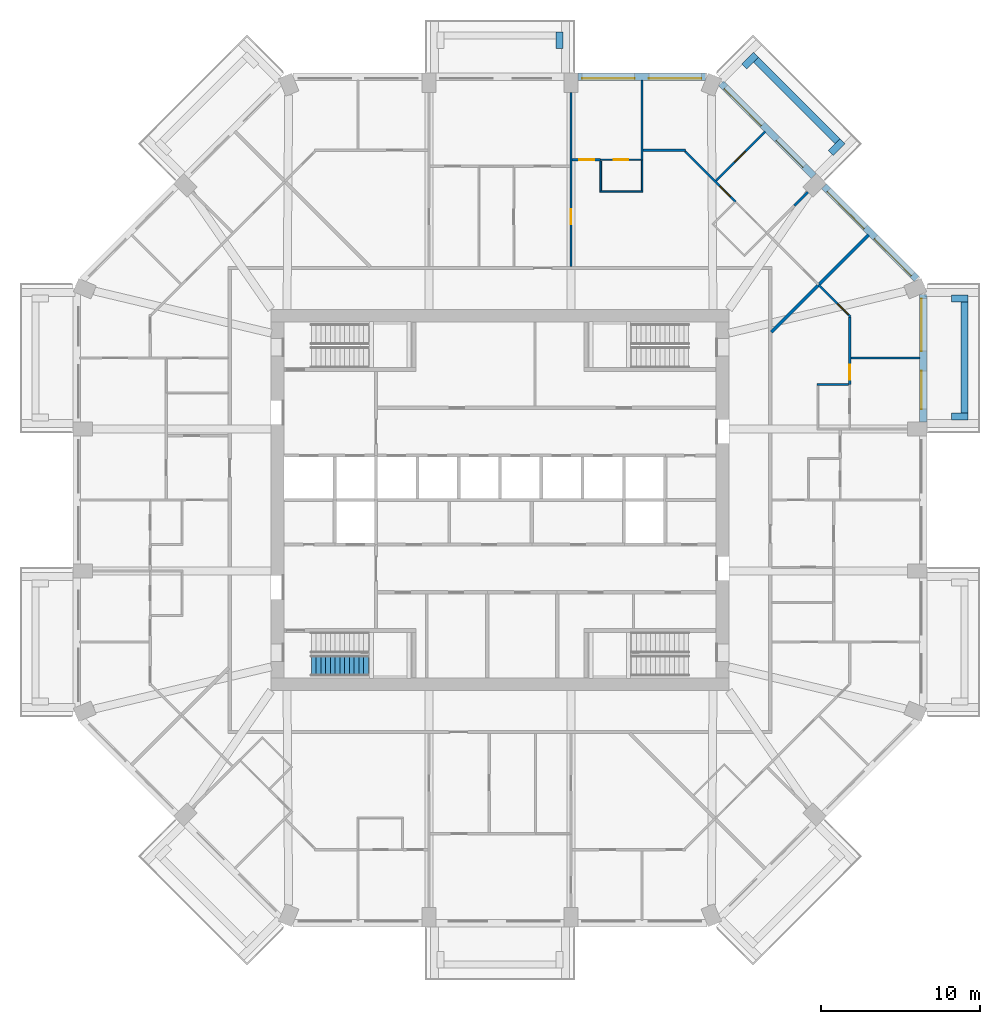
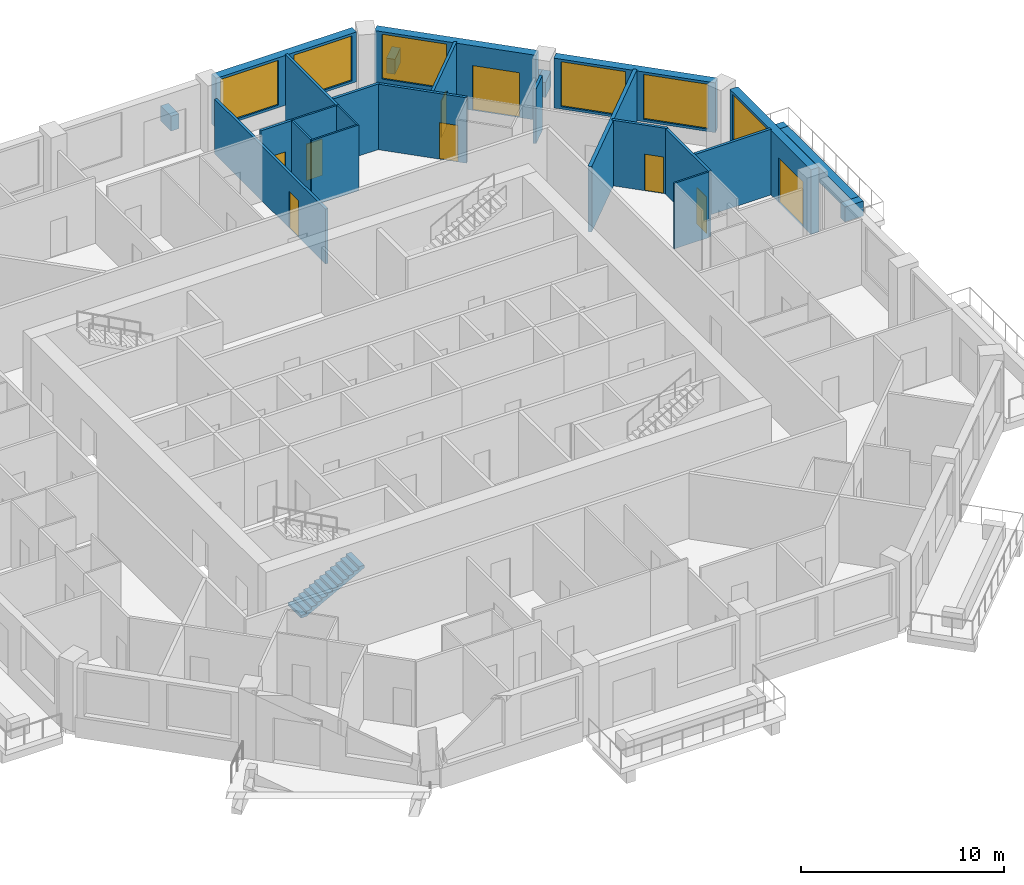
# One storey, part 10 of 13: 27 walls, 9 doors, 6 windows, 1 stair flight, 15 openings, 1 element without a shape of its own.
"""IFC4 building model written with IfcOpenShell, lengths in metres."""

from ifc_helpers import new_model, si_unit, direction, frame, frame_2d, origin, place, context, subcontext, project, spatial, polyline, rectangle, outline, extrude, material, layer, layer_set, type_object, element, fill, aggregate, save


model = new_model("IFC4")

# Units and contexts
model_context = context("Model", 3, precision=1e-05, world=origin(), true_north=direction((0.0, 1.0)))
body_context = subcontext(model_context, "Body", "Model", "MODEL_VIEW")
ifc_project = project(units=[si_unit("LENGTHUNIT", "METRE"), si_unit("AREAUNIT", "SQUARE_METRE"), si_unit("VOLUMEUNIT", "CUBIC_METRE"), si_unit("PLANEANGLEUNIT", "RADIAN"), si_unit("MASSUNIT", "GRAM", prefix="KILO")], contexts=[model_context])

# Site, building, storey
site_placement = place(None, origin())
site = spatial("IfcSite", under=ifc_project, at=site_placement, CompositionType="ELEMENT")
building_placement = place(site_placement, origin())
building = spatial("IfcBuilding", under=site, at=building_placement, Name="Msitu Wima Residences", CompositionType="ELEMENT")
storey_placement = place(building_placement, frame((0.0, 0.0, 131.699951171875)))
storey = spatial("IfcBuildingStorey", under=building, at=storey_placement, Name="L30", CompositionType="ELEMENT", Elevation=131.699951171875)

# Walls
ifc_material_1 = material(Name="Facing brick")
ifc_layer_1 = layer(ifc_material_1, 0.06494140625, Name="Facing brick")
ifc_material_2 = material(Name="Concrete C40/50", Category="concrete")
ifc_layer_2 = layer(ifc_material_2, 0.156005859375, Name="Concrete C40/50")
ifc_material_3 = material(Name="Waterproofing membrane")
ifc_layer_3 = layer(ifc_material_3, 0.00390625, Name="Waterproofing membrane")
ifc_material_4 = material(Name="Planting soil and planting")
ifc_layer_4 = layer(ifc_material_4, 0.22509765625, Name="Planting soil and planting")
ifc_layer_set_1 = layer_set([ifc_layer_1, ifc_layer_2, ifc_layer_3, ifc_layer_4], Name="Concrete C40/50")
wall_type_1 = type_object("IfcWallType", Name="Balcony planter PLANTER PL450", PredefinedType="USERDEFINED", material=ifc_layer_set_1)
wall_1_placement = place(storey_placement, frame((29.22509765625, 5.468505859375, 0.0), z_axis=(0.0, 0.0, 1.0), x_axis=(0.0, 1.0, 0.0)))
element("IfcWall", 1, at=wall_1_placement, inside=storey, type_object=wall_type_1, Name="Balcony planter E2 L30", ObjectType="PLANTER", PredefinedType="USERDEFINED", context=body_context, shape_type="SweptSolid", body=[
    extrude(rectangle(XDim=6.9873046875, YDim=0.449951171875, at=frame_2d((3.49365234375, 0.0))), origin(), (0.0, 0.0, 1.0), 0.900146484375),
])
for number, where, z_axis, x_axis, name in (
    (2, (28.39990234375, 5.24365234375, 0.0), (0.0, 0.0, 1.0), (1.0, 0.0, 0.0), "Balcony planter E2 L30"),
    (3, (28.39990234375, 12.680908203125, 0.0), (0.0, 0.0, 1.0), (1.0, 0.0, 0.0), "Balcony planter E2 L30"),
):
    element("IfcWall", number, at=place(storey_placement, frame(where, z_axis=z_axis, x_axis=x_axis)), inside=storey, type_object=wall_type_1, Name=name, ObjectType="PLANTER", PredefinedType="USERDEFINED", context=body_context, shape_type="SweptSolid", body=[
        extrude(rectangle(XDim=1.050048828125, YDim=0.449951171875, at=frame_2d((0.52490234375, 0.0))), origin(), (0.0, 0.0, 1.0), 0.900146484375),
    ])
wall_2_placement = place(storey_placement, frame((21.228759765625, 22.572265625, 0.0), z_axis=(0.0, 0.0, 1.0), x_axis=(-0.707106781187, 0.707106781187, 0.0)))
element("IfcWall", 4, at=wall_2_placement, inside=storey, type_object=wall_type_1, Name="Balcony planter NE1 L30", ObjectType="PLANTER", PredefinedType="USERDEFINED", context=body_context, shape_type="SweptSolid", body=[
    extrude(rectangle(XDim=7.23828125, YDim=0.449951171875, at=frame_2d((3.619140625, 0.0))), origin(), (0.0, 0.0, 1.0), 0.900146484375),
])
for number, where, z_axis, x_axis, name in (
    (5, (20.804443359375, 21.829833984375, 0.0), (0.0, 0.0, 1.0), (0.707106781187, 0.707106781187, 0.0), "Balcony planter NE1 L30"),
    (6, (15.3681640625, 27.26611328125, 0.0), (0.0, 0.0, 1.0), (0.706990528533, 0.707223014731, 0.0), "Balcony planter NE1 L30"),
    (7, (3.74365234375, 28.39990234375, 0.0), (0.0, 0.0, 1.0), (0.0, 1.0, 0.0), "Balcony planter N1 L30"),
):
    element("IfcWall", number, at=place(storey_placement, frame(where, z_axis=z_axis, x_axis=x_axis)), inside=storey, type_object=wall_type_1, Name=name, ObjectType="PLANTER", PredefinedType="USERDEFINED", context=body_context, shape_type="SweptSolid", body=[
        extrude(rectangle(XDim=1.050048828125, YDim=0.449951171875, at=frame_2d((0.52490234375, 0.0))), origin(), (0.0, 0.0, 1.0), 0.900146484375),
    ])

# Wall, openings, door, window
ifc_material_5 = material(Name="Brick (red buff mix)", Category="masonry")
ifc_layer_5 = layer(ifc_material_5, 0.449951171875)
ifc_layer_set_2 = layer_set([ifc_layer_5], Name="Brick (red buff mix)")
wall_type_2 = type_object("IfcWallType", Name="Brick infill wall BW450", PredefinedType="SOLIDWALL", material=ifc_layer_set_2)
wall_3_placement = place(storey_placement, frame((26.625, 4.918701171875, 0.0), z_axis=(0.0, 0.0, 1.0), x_axis=(0.0, 1.0, 0.0)))
wall_3 = element("IfcWall", 8, at=wall_3_placement, inside=storey, type_object=wall_type_2, Name="Brick infill wall L30 E2", PredefinedType="SOLIDWALL", context=body_context, shape_type="SweptSolid", body=[
    extrude(rectangle(XDim=8.0, YDim=0.449951171875, at=frame_2d((4.0, 0.0))), origin(), (0.0, 0.0, 1.0), 3.900146484375),
])
opening_1_placement = place(wall_3_placement, frame((0.800048828125, 0.0, 0.0)))
opening_1 = element("IfcOpeningElement", 9, at=opening_1_placement, cuts=wall_3, Name="Opening D30-32.002", PredefinedType="OPENING", context=body_context, shape_type="SweptSolid", body=[
    extrude(rectangle(XDim=2.39990234375, YDim=2.699951171875, at=frame_2d((1.199951171875, 1.35009765625))), frame((0.0, 0.23486328125, 0.0), z_axis=(0.0, -1.0, 0.0), x_axis=(1.0, 0.0, 0.0)), (0.0, 0.0, 1.0), 0.469970703125),
])
opening_2_placement = place(wall_3_placement, frame((4.4501953125, 0.0, 1.050048828125)))
opening_2 = element("IfcOpeningElement", 10, at=opening_2_placement, cuts=wall_3, Name="Opening W30-32.004", PredefinedType="OPENING", context=body_context, shape_type="SweptSolid", body=[
    extrude(rectangle(XDim=3.300048828125, YDim=2.699951171875, at=frame_2d((1.64990234375, 1.35009765625))), frame((0.0, 0.23486328125, 0.0), z_axis=(0.0, -1.0, 0.0), x_axis=(1.0, 0.0, 0.0)), (0.0, 0.0, 1.0), 0.469970703125),
])
ifc_material_6 = material(Name="Anodised aluminium, bronze finish, clear low-emissivity double glazing", Category="aluminium")
door_type_1 = type_object("IfcDoorType", Name="Balcony door D2400x2700", OperationType="SLIDING_TO_LEFT", PredefinedType="DOOR", material=ifc_material_6)
door_1_placement = place(opening_1_placement, origin())
door_1 = element("IfcDoor", 11, at=door_1_placement, inside=storey, type_object=door_type_1, Name="Balcony door L30 E2", OperationType="SINGLE_SWING_LEFT", OverallHeight=2.699951171875, OverallWidth=2.39990234375, PredefinedType="DOOR", context=body_context, shape_type="SweptSolid", body=[
    extrude(rectangle(XDim=2.39990234375, YDim=2.699951171875, at=frame_2d((1.199951171875, 1.35009765625))), frame((0.0, 0.1298828125, 0.0), z_axis=(0.0, -1.0, 0.0), x_axis=(1.0, 0.0, 0.0)), (0.0, 0.0, 1.0), 0.050048828125),
])
fill(opening_1, door_1)
window_type = type_object("IfcWindowType", Name="Window W3300x2700", PartitioningType="DOUBLE_PANEL_VERTICAL", PredefinedType="WINDOW", material=ifc_material_6)
window_1_placement = place(opening_2_placement, origin())
window_1 = element("IfcWindow", 12, at=window_1_placement, inside=storey, type_object=window_type, Name="Window L30 E2.2", OverallHeight=2.699951171875, OverallWidth=3.300048828125, PartitioningType="SINGLE_PANEL", PredefinedType="WINDOW", context=body_context, shape_type="SweptSolid", body=[
    extrude(rectangle(XDim=3.300048828125, YDim=2.699951171875, at=frame_2d((1.64990234375, 1.35009765625))), frame((0.0, 0.135009765625, 0.0), z_axis=(0.0, -1.0, 0.0), x_axis=(1.0, 0.0, 0.0)), (0.0, 0.0, 1.0), 0.06005859375),
])
fill(opening_2, window_1)

# Wall, openings, windows
wall_4_placement = place(storey_placement, frame((26.214599609375, 13.909423828125, 0.900146484375), z_axis=(0.0, 0.0, 1.0), x_axis=(-0.707106781187, 0.707106781187, 0.0)))
wall_4 = element("IfcWall", 13, at=wall_4_placement, inside=storey, type_object=wall_type_2, Name="Brick infill wall L30 NE0", PredefinedType="SOLIDWALL", context=body_context, shape_type="SweptSolid", body=[
    extrude(rectangle(XDim=8.251220703125, YDim=0.449951171875, at=frame_2d((4.12548828125, 0.0))), origin(), (0.0, 0.0, 1.0), 3.0),
])
opening_3_placement = place(wall_4_placement, frame((0.37548828125, 0.0, 0.14990234375)))
opening_3 = element("IfcOpeningElement", 14, at=opening_3_placement, cuts=wall_4, Name="Opening W30-32.010", PredefinedType="OPENING", context=body_context, shape_type="SweptSolid", body=[
    extrude(rectangle(XDim=3.300048828125, YDim=2.699951171875, at=frame_2d((1.64990234375, 1.35009765625))), frame((0.0, 0.23486328125, 0.0), z_axis=(0.0, -1.0, 0.0), x_axis=(1.0, 0.0, 0.0)), (0.0, 0.0, 1.0), 0.469970703125),
])
opening_4_placement = place(wall_4_placement, frame((4.57568359375, 0.0, 0.14990234375)))
opening_4 = element("IfcOpeningElement", 15, at=opening_4_placement, cuts=wall_4, Name="Opening W30-32.011", PredefinedType="OPENING", context=body_context, shape_type="SweptSolid", body=[
    extrude(rectangle(XDim=3.300048828125, YDim=2.699951171875, at=frame_2d((1.64990234375, 1.35009765625))), frame((0.0, 0.23486328125, 0.0), z_axis=(0.0, -1.0, 0.0), x_axis=(1.0, 0.0, 0.0)), (0.0, 0.0, 1.0), 0.469970703125),
])
window_2_placement = place(opening_3_placement, origin())
window_2 = element("IfcWindow", 16, at=window_2_placement, inside=storey, type_object=window_type, Name="Window L30 NE0.1", OverallHeight=2.699951171875, OverallWidth=3.300048828125, PartitioningType="SINGLE_PANEL", PredefinedType="WINDOW", context=body_context, shape_type="SweptSolid", body=[
    extrude(rectangle(XDim=3.300048828125, YDim=2.699951171875, at=frame_2d((1.64990234375, 1.35009765625))), frame((0.0, 0.135009765625, 0.0), z_axis=(0.0, -1.0, 0.0), x_axis=(1.0, 0.0, 0.0)), (0.0, 0.0, 1.0), 0.06005859375),
])
fill(opening_3, window_2)
window_3_placement = place(opening_4_placement, origin())
window_3 = element("IfcWindow", 17, at=window_3_placement, inside=storey, type_object=window_type, Name="Window L30 NE0.2", OverallHeight=2.699951171875, OverallWidth=3.300048828125, PartitioningType="SINGLE_PANEL", PredefinedType="WINDOW", context=body_context, shape_type="SweptSolid", body=[
    extrude(rectangle(XDim=3.300048828125, YDim=2.699951171875, at=frame_2d((1.64990234375, 1.35009765625))), frame((0.0, 0.135009765625, 0.0), z_axis=(0.0, -1.0, 0.0), x_axis=(1.0, 0.0, 0.0)), (0.0, 0.0, 1.0), 0.06005859375),
])
fill(opening_4, window_3)

# Wall, openings, door, window
wall_5_placement = place(storey_placement, frame((19.743896484375, 20.380126953125, 0.0), z_axis=(0.0, 0.0, 1.0), x_axis=(-0.707106781187, 0.707106781187, 0.0)))
wall_5 = element("IfcWall", 18, at=wall_5_placement, inside=storey, type_object=wall_type_2, Name="Brick infill wall L30 NE1", PredefinedType="SOLIDWALL", context=body_context, shape_type="SweptSolid", body=[
    extrude(rectangle(XDim=8.251220703125, YDim=0.449951171875, at=frame_2d((4.12548828125, 0.0))), origin(), (0.0, 0.0, 1.0), 3.900146484375),
])
opening_5_placement = place(wall_5_placement, frame((0.86279296875, 0.0, 0.0)))
opening_5 = element("IfcOpeningElement", 19, at=opening_5_placement, cuts=wall_5, Name="Opening D30-32.004", PredefinedType="OPENING", context=body_context, shape_type="SweptSolid", body=[
    extrude(rectangle(XDim=2.39990234375, YDim=2.699951171875, at=frame_2d((1.199951171875, 1.35009765625))), frame((0.0, 0.23486328125, 0.0), z_axis=(0.0, -1.0, 0.0), x_axis=(1.0, 0.0, 0.0)), (0.0, 0.0, 1.0), 0.469970703125),
])
opening_6_placement = place(wall_5_placement, frame((4.57568359375, 0.0, 1.050048828125)))
opening_6 = element("IfcOpeningElement", 20, at=opening_6_placement, cuts=wall_5, Name="Opening W30-32.012", PredefinedType="OPENING", context=body_context, shape_type="SweptSolid", body=[
    extrude(rectangle(XDim=3.300048828125, YDim=2.699951171875, at=frame_2d((1.64990234375, 1.35009765625))), frame((0.0, 0.23486328125, 0.0), z_axis=(0.0, -1.0, 0.0), x_axis=(1.0, 0.0, 0.0)), (0.0, 0.0, 1.0), 0.469970703125),
])
door_2_placement = place(opening_5_placement, origin())
door_2 = element("IfcDoor", 21, at=door_2_placement, inside=storey, type_object=door_type_1, Name="Balcony door L30 NE1", OperationType="SINGLE_SWING_LEFT", OverallHeight=2.699951171875, OverallWidth=2.39990234375, PredefinedType="DOOR", context=body_context, shape_type="SweptSolid", body=[
    extrude(rectangle(XDim=2.39990234375, YDim=2.699951171875, at=frame_2d((1.199951171875, 1.35009765625))), frame((0.0, 0.1298828125, 0.0), z_axis=(0.0, -1.0, 0.0), x_axis=(1.0, 0.0, 0.0)), (0.0, 0.0, 1.0), 0.050048828125),
])
fill(opening_5, door_2)
window_4_placement = place(opening_6_placement, origin())
window_4 = element("IfcWindow", 22, at=window_4_placement, inside=storey, type_object=window_type, Name="Window L30 NE1.2", OverallHeight=2.699951171875, OverallWidth=3.300048828125, PartitioningType="SINGLE_PANEL", PredefinedType="WINDOW", context=body_context, shape_type="SweptSolid", body=[
    extrude(rectangle(XDim=3.300048828125, YDim=2.699951171875, at=frame_2d((1.64990234375, 1.35009765625))), frame((0.0, 0.135009765625, 0.0), z_axis=(0.0, -1.0, 0.0), x_axis=(1.0, 0.0, 0.0)), (0.0, 0.0, 1.0), 0.06005859375),
])
fill(opening_6, window_4)

# Wall, openings, windows
wall_6_placement = place(storey_placement, frame((12.918701171875, 26.625, 0.900146484375), z_axis=(0.0, 0.0, 1.0), x_axis=(-1.0, 0.0, 0.0)))
wall_6 = element("IfcWall", 23, at=wall_6_placement, inside=storey, type_object=wall_type_2, Name="Brick infill wall L30 N0", PredefinedType="SOLIDWALL", context=body_context, shape_type="SweptSolid", body=[
    extrude(rectangle(XDim=8.0, YDim=0.449951171875, at=frame_2d((4.0, 0.0))), origin(), (0.0, 0.0, 1.0), 3.0),
])
opening_7_placement = place(wall_6_placement, frame((0.25, 0.0, 0.14990234375)))
opening_7 = element("IfcOpeningElement", 24, at=opening_7_placement, cuts=wall_6, Name="Opening W30-32.005", PredefinedType="OPENING", context=body_context, shape_type="SweptSolid", body=[
    extrude(rectangle(XDim=3.300048828125, YDim=2.699951171875, at=frame_2d((1.64990234375, 1.35009765625))), frame((0.0, 0.23486328125, 0.0), z_axis=(0.0, -1.0, 0.0), x_axis=(1.0, 0.0, 0.0)), (0.0, 0.0, 1.0), 0.469970703125),
])
opening_8_placement = place(wall_6_placement, frame((4.4501953125, 0.0, 0.14990234375)))
opening_8 = element("IfcOpeningElement", 25, at=opening_8_placement, cuts=wall_6, Name="Opening W30-32.006", PredefinedType="OPENING", context=body_context, shape_type="SweptSolid", body=[
    extrude(rectangle(XDim=3.300048828125, YDim=2.699951171875, at=frame_2d((1.64990234375, 1.35009765625))), frame((0.0, 0.23486328125, 0.0), z_axis=(0.0, -1.0, 0.0), x_axis=(1.0, 0.0, 0.0)), (0.0, 0.0, 1.0), 0.469970703125),
])
window_5_placement = place(opening_7_placement, origin())
window_5 = element("IfcWindow", 26, at=window_5_placement, inside=storey, type_object=window_type, Name="Window L30 N0.1", OverallHeight=2.699951171875, OverallWidth=3.300048828125, PartitioningType="SINGLE_PANEL", PredefinedType="WINDOW", context=body_context, shape_type="SweptSolid", body=[
    extrude(rectangle(XDim=3.300048828125, YDim=2.699951171875, at=frame_2d((1.64990234375, 1.35009765625))), frame((0.0, 0.135009765625, 0.0), z_axis=(0.0, -1.0, 0.0), x_axis=(1.0, 0.0, 0.0)), (0.0, 0.0, 1.0), 0.06005859375),
])
fill(opening_7, window_5)
window_6_placement = place(opening_8_placement, origin())
window_6 = element("IfcWindow", 27, at=window_6_placement, inside=storey, type_object=window_type, Name="Window L30 N0.2", OverallHeight=2.699951171875, OverallWidth=3.300048828125, PartitioningType="SINGLE_PANEL", PredefinedType="WINDOW", context=body_context, shape_type="SweptSolid", body=[
    extrude(rectangle(XDim=3.300048828125, YDim=2.699951171875, at=frame_2d((1.64990234375, 1.35009765625))), frame((0.0, 0.135009765625, 0.0), z_axis=(0.0, -1.0, 0.0), x_axis=(1.0, 0.0, 0.0)), (0.0, 0.0, 1.0), 0.06005859375),
])
fill(opening_8, window_6)

# Wall, opening, door
ifc_material_7 = material(Name="Plaster")
ifc_layer_6 = layer(ifc_material_7, 0.011962890625, Name="Plaster")
ifc_material_8 = material(Name="Concrete blockwork", Category="masonry")
ifc_layer_7 = layer(ifc_material_8, 0.1259765625, Name="Concrete blockwork")
ifc_layer_8 = layer(ifc_material_7, 0.011962890625, Name="Plaster")
ifc_layer_set_3 = layer_set([ifc_layer_6, ifc_layer_7, ifc_layer_8], Name="Concrete blockwork")
wall_type_3 = type_object("IfcWallType", Name="Partition PW150", PredefinedType="PARTITIONING", material=ifc_layer_set_3)
wall_7_placement = place(storey_placement, frame((4.46875, 14.699951171875, 0.0), z_axis=(0.0, 0.0, 1.0), x_axis=(0.0, 1.0, 0.0)))
wall_7 = element("IfcWall", 28, at=wall_7_placement, inside=storey, type_object=wall_type_3, Name="Partition", PredefinedType="PARTITIONING", context=body_context, shape_type="SweptSolid", body=[
    extrude(rectangle(XDim=10.949951171875, YDim=0.14990234375, at=frame_2d((5.47509765625, 0.0))), origin(), (0.0, 0.0, 1.0), 3.300048828125),
])
opening_9_placement = place(wall_7_placement, frame((2.64990234375, 0.0, 0.0)))
opening_9 = element("IfcOpeningElement", 29, at=opening_9_placement, cuts=wall_7, Name="Opening D30-32.040", PredefinedType="OPENING", context=body_context, shape_type="SweptSolid", body=[
    extrude(rectangle(XDim=0.949951171875, YDim=2.199951171875, at=frame_2d((0.47509765625, 1.10009765625))), frame((0.0, 0.0849609375, 0.0), z_axis=(0.0, -1.0, 0.0), x_axis=(1.0, 0.0, 0.0)), (0.0, 0.0, 1.0), 0.169921875),
])
ifc_material_9 = material(Name="Timber flush door", Category="wood")
door_type_2 = type_object("IfcDoorType", Name="Room door D12 950x2200", OperationType="SINGLE_SWING_LEFT", PredefinedType="DOOR", material=ifc_material_9)
door_3_placement = place(opening_9_placement, origin())
door_3 = element("IfcDoor", 30, at=door_3_placement, inside=storey, type_object=door_type_2, Name="Room door", OperationType="SINGLE_SWING_RIGHT", OverallHeight=2.199951171875, OverallWidth=0.949951171875, PredefinedType="DOOR", context=body_context, shape_type="SweptSolid", body=[
    extrude(rectangle(XDim=0.949951171875, YDim=2.199951171875, at=frame_2d((0.47509765625, 1.10009765625))), frame((0.0, 0.02490234375, 0.0), z_axis=(0.0, -1.0, 0.0), x_axis=(1.0, 0.0, 0.0)), (0.0, 0.0, 1.0), 0.050048828125),
])
fill(opening_9, door_3)

wall_8_placement = place(storey_placement, frame((4.543701171875, 21.39990234375, 0.0), z_axis=(0.0, 0.0, 1.0), x_axis=(1.0, 0.0, 0.0)))
wall_8 = element("IfcWall", 31, at=wall_8_placement, inside=storey, type_object=wall_type_3, Name="Partition", PredefinedType="PARTITIONING", context=body_context, shape_type="SweptSolid", body=[
    extrude(rectangle(XDim=1.7734375, YDim=0.14990234375, at=frame_2d((0.88671875, 0.0))), origin(), (0.0, 0.0, 1.0), 3.949951171875),
])
opening_10_placement = place(wall_8_placement, frame((0.449951171875, 0.0, 0.0)))
opening_10 = element("IfcOpeningElement", 32, at=opening_10_placement, cuts=wall_8, Name="Opening D30-32.090", PredefinedType="OPENING", context=body_context, shape_type="SweptSolid", body=[
    extrude(rectangle(XDim=0.949951171875, YDim=2.199951171875, at=frame_2d((0.47509765625, 1.10009765625))), frame((0.0, 0.0849609375, 0.0), z_axis=(0.0, -1.0, 0.0), x_axis=(1.0, 0.0, 0.0)), (0.0, 0.0, 1.0), 0.169921875),
])
door_4_placement = place(opening_10_placement, origin())
door_4 = element("IfcDoor", 33, at=door_4_placement, inside=storey, type_object=door_type_2, Name="Room door", OperationType="SINGLE_SWING_LEFT", OverallHeight=2.199951171875, OverallWidth=0.949951171875, PredefinedType="DOOR", context=body_context, shape_type="SweptSolid", body=[
    extrude(rectangle(XDim=0.949951171875, YDim=2.199951171875, at=frame_2d((0.47509765625, 1.10009765625))), frame((0.0, 0.02490234375, 0.0), z_axis=(0.0, -1.0, 0.0), x_axis=(1.0, 0.0, 0.0)), (0.0, 0.0, 1.0), 0.050048828125),
])
fill(opening_10, door_4)

# Walls
wall_9_placement = place(storey_placement, frame((8.937255859375, 21.3798828125, 0.0), z_axis=(0.0, 0.0, 1.0), x_axis=(0.0, 1.0, 0.0)))
element("IfcWall", 34, at=wall_9_placement, inside=storey, type_object=wall_type_3, Name="Partition", PredefinedType="PARTITIONING", context=body_context, shape_type="SweptSolid", body=[
    extrude(rectangle(XDim=5.045166015625, YDim=0.14990234375, at=frame_2d((2.5224609375, 0.0))), origin(), (0.0, 0.0, 1.0), 3.949951171875),
])
wall_10_placement = place(storey_placement, frame((9.01220703125, 22.0, 0.0), z_axis=(0.0, 0.0, 1.0), x_axis=(1.0, 0.0, 0.0)))
element("IfcWall", 35, at=wall_10_placement, inside=storey, type_object=wall_type_3, Name="Partition", PredefinedType="PARTITIONING", context=body_context, shape_type="SweptSolid", body=[
    extrude(rectangle(XDim=2.646240234375, YDim=0.14990234375, at=frame_2d((1.3232421875, 0.0))), origin(), (0.0, 0.0, 1.0), 3.949951171875),
])

# Wall, opening, door
wall_11_placement = place(storey_placement, frame((11.636474609375, 21.947021484375, 0.0), z_axis=(0.0, 0.0, 1.0), x_axis=(0.707079597841, -0.707133963487, 0.0)))
wall_11 = element("IfcWall", 36, at=wall_11_placement, inside=storey, type_object=wall_type_3, Name="Partition", PredefinedType="PARTITIONING", context=body_context, shape_type="SweptSolid", body=[
    extrude(rectangle(XDim=4.49072265625, YDim=0.14990234375, at=frame_2d((2.245361328125, 0.0))), origin(), (0.0, 0.0, 1.0), 3.949951171875),
])
opening_11_placement = place(wall_11_placement, frame((3.10009765625, 0.0, 0.0)))
opening_11 = element("IfcOpeningElement", 37, at=opening_11_placement, cuts=wall_11, Name="Opening D30-32.084", PredefinedType="OPENING", context=body_context, shape_type="SweptSolid", body=[
    extrude(rectangle(XDim=0.949951171875, YDim=2.199951171875, at=frame_2d((0.47509765625, 1.10009765625))), frame((0.0, 0.0849609375, 0.0), z_axis=(0.0, -1.0, 0.0), x_axis=(1.0, 0.0, 0.0)), (0.0, 0.0, 1.0), 0.169921875),
])
door_5_placement = place(opening_11_placement, origin())
door_5 = element("IfcDoor", 38, at=door_5_placement, inside=storey, type_object=door_type_2, Name="Room door", OperationType="SINGLE_SWING_LEFT", OverallHeight=2.199951171875, OverallWidth=0.949951171875, PredefinedType="DOOR", context=body_context, shape_type="SweptSolid", body=[
    extrude(rectangle(XDim=0.949951171875, YDim=2.199951171875, at=frame_2d((0.47509765625, 1.10009765625))), frame((0.0, 0.02490234375, 0.0), z_axis=(0.0, -1.0, 0.0), x_axis=(1.0, 0.0, 0.0)), (0.0, 0.0, 1.0), 0.050048828125),
])
fill(opening_11, door_5)

wall_12_placement = place(storey_placement, frame((13.59619140625, 20.09326171875, 0.0), z_axis=(0.0, 0.0, 1.0), x_axis=(0.707106781187, 0.707106781187, 0.0)))
wall_12 = element("IfcWall", 39, at=wall_12_placement, inside=storey, type_object=wall_type_3, Name="Partition", PredefinedType="PARTITIONING", context=body_context, shape_type="SweptSolid", body=[
    extrude(rectangle(XDim=4.380126953125, YDim=0.14990234375, at=frame_2d((2.18994140625, 0.0))), origin(), (0.0, 0.0, 1.0), 3.949951171875),
])
opening_12_placement = place(wall_12_placement, frame((1.64990234375, 0.0, 0.0)))
opening_12 = element("IfcOpeningElement", 40, at=opening_12_placement, cuts=wall_12, Name="Opening D30-32.092", PredefinedType="OPENING", context=body_context, shape_type="SweptSolid", body=[
    extrude(rectangle(XDim=0.949951171875, YDim=2.199951171875, at=frame_2d((0.47509765625, 1.10009765625))), frame((0.0, 0.0849609375, 0.0), z_axis=(0.0, -1.0, 0.0), x_axis=(1.0, 0.0, 0.0)), (0.0, 0.0, 1.0), 0.169921875),
])
door_6_placement = place(opening_12_placement, origin())
door_6 = element("IfcDoor", 41, at=door_6_placement, inside=storey, type_object=door_type_2, Name="Room door", OperationType="SINGLE_SWING_LEFT", OverallHeight=2.199951171875, OverallWidth=0.949951171875, PredefinedType="DOOR", context=body_context, shape_type="SweptSolid", body=[
    extrude(rectangle(XDim=0.949951171875, YDim=2.199951171875, at=frame_2d((0.47509765625, 1.10009765625))), frame((0.0, 0.02490234375, 0.0), z_axis=(0.0, -1.0, 0.0), x_axis=(1.0, 0.0, 0.0)), (0.0, 0.0, 1.0), 0.050048828125),
])
fill(opening_12, door_6)

# Wall
wall_13_placement = place(storey_placement, frame((18.517578125, 18.517578125, 0.0), z_axis=(0.0, 0.0, 1.0), x_axis=(0.707106781187, 0.707106781187, 0.0)))
element("IfcWall", 42, at=wall_13_placement, inside=storey, type_object=wall_type_3, Name="Partition", PredefinedType="PARTITIONING", context=body_context, shape_type="SweptSolid", body=[
    extrude(rectangle(XDim=1.209228515625, YDim=0.14990234375, at=frame_2d((0.6044921875, 0.0))), origin(), (0.0, 0.0, 1.0), 3.300048828125),
])

# Wall, opening, door
wall_14_placement = place(storey_placement, frame((20.040283203125, 13.543212890625, 0.0), z_axis=(0.0, 0.0, 1.0), x_axis=(0.707063896341, -0.707149663432, 0.0)))
wall_14 = element("IfcWall", 43, at=wall_14_placement, inside=storey, type_object=wall_type_3, Name="Partition", PredefinedType="PARTITIONING", context=body_context, shape_type="SweptSolid", body=[
    extrude(rectangle(XDim=2.846435546875, YDim=0.14990234375, at=frame_2d((1.42333984375, 0.0))), origin(), (0.0, 0.0, 1.0), 3.949951171875),
])
opening_13_placement = place(wall_14_placement, frame((1.699951171875, 0.0, 0.0)))
opening_13 = element("IfcOpeningElement", 44, at=opening_13_placement, cuts=wall_14, Name="Opening D30-32.088", PredefinedType="OPENING", context=body_context, shape_type="SweptSolid", body=[
    extrude(rectangle(XDim=0.949951171875, YDim=2.199951171875, at=frame_2d((0.47509765625, 1.10009765625))), frame((0.0, 0.0849609375, 0.0), z_axis=(0.0, -1.0, 0.0), x_axis=(1.0, 0.0, 0.0)), (0.0, 0.0, 1.0), 0.169921875),
])
door_7_placement = place(opening_13_placement, origin())
door_7 = element("IfcDoor", 45, at=door_7_placement, inside=storey, type_object=door_type_2, Name="Room door", OperationType="SINGLE_SWING_LEFT", OverallHeight=2.199951171875, OverallWidth=0.949951171875, PredefinedType="DOOR", context=body_context, shape_type="SweptSolid", body=[
    extrude(rectangle(XDim=0.949951171875, YDim=2.199951171875, at=frame_2d((0.47509765625, 1.10009765625))), frame((0.0, 0.02490234375, 0.0), z_axis=(0.0, -1.0, 0.0), x_axis=(1.0, 0.0, 0.0)), (0.0, 0.0, 1.0), 0.050048828125),
])
fill(opening_13, door_7)

wall_15_placement = place(storey_placement, frame((22.0, 7.2685546875, 0.0), z_axis=(0.0, 0.0, 1.0), x_axis=(0.0, 1.0, 0.0)))
wall_15 = element("IfcWall", 46, at=wall_15_placement, inside=storey, type_object=wall_type_3, Name="Partition", PredefinedType="PARTITIONING", context=body_context, shape_type="SweptSolid", body=[
    extrude(rectangle(XDim=4.23974609375, YDim=0.14990234375, at=frame_2d((2.119873046875, 0.0))), origin(), (0.0, 0.0, 1.0), 3.949951171875),
])
opening_14_placement = place(wall_15_placement, frame((0.300048828125, 0.0, 0.0)))
opening_14 = element("IfcOpeningElement", 47, at=opening_14_placement, cuts=wall_15, Name="Opening D30-32.077", PredefinedType="OPENING", context=body_context, shape_type="SweptSolid", body=[
    extrude(rectangle(XDim=0.949951171875, YDim=2.199951171875, at=frame_2d((0.47509765625, 1.10009765625))), frame((0.0, 0.0849609375, 0.0), z_axis=(0.0, -1.0, 0.0), x_axis=(1.0, 0.0, 0.0)), (0.0, 0.0, 1.0), 0.169921875),
])
door_8_placement = place(opening_14_placement, origin())
door_8 = element("IfcDoor", 48, at=door_8_placement, inside=storey, type_object=door_type_2, Name="Room door", OperationType="SINGLE_SWING_LEFT", OverallHeight=2.199951171875, OverallWidth=0.949951171875, PredefinedType="DOOR", context=body_context, shape_type="SweptSolid", body=[
    extrude(rectangle(XDim=0.949951171875, YDim=2.199951171875, at=frame_2d((0.47509765625, 1.10009765625))), frame((0.0, 0.02490234375, 0.0), z_axis=(0.0, -1.0, 0.0), x_axis=(1.0, 0.0, 0.0)), (0.0, 0.0, 1.0), 0.050048828125),
])
fill(opening_14, door_8)

# Walls
wall_16_placement = place(storey_placement, frame((22.074951171875, 8.937255859375, 0.0), z_axis=(0.0, 0.0, 1.0), x_axis=(1.0, 0.0, 0.0)))
element("IfcWall", 49, at=wall_16_placement, inside=storey, type_object=wall_type_3, Name="Partition", PredefinedType="PARTITIONING", context=body_context, shape_type="SweptSolid", body=[
    extrude(rectangle(XDim=4.35009765625, YDim=0.14990234375, at=frame_2d((2.175048828125, 0.0))), origin(), (0.0, 0.0, 1.0), 3.949951171875),
])
ifc_layer_9 = layer(ifc_material_7, 0.011962890625, Name="Plaster")
ifc_material_10 = material(Name="Dense concrete blockwork", Category="masonry")
ifc_layer_10 = layer(ifc_material_10, 0.176025390625, Name="Dense concrete blockwork")
ifc_layer_11 = layer(ifc_material_7, 0.011962890625, Name="Plaster")
ifc_layer_set_4 = layer_set([ifc_layer_9, ifc_layer_10, ifc_layer_11], Name="Dense concrete blockwork")
wall_type_4 = type_object("IfcWallType", Name="Party wall PW200", PredefinedType="PARTITIONING", material=ifc_layer_set_4)
wall_17_placement = place(storey_placement, frame((17.07080078125, 10.57373046875, 0.0), z_axis=(0.0, 0.0, 1.0), x_axis=(0.707106781187, 0.707106781187, 0.0)))
element("IfcWall", 50, at=wall_17_placement, inside=storey, type_object=wall_type_4, Name="Party wall", PredefinedType="PARTITIONING", context=body_context, shape_type="SweptSolid", body=[
    extrude(rectangle(XDim=8.654541015625, YDim=0.199951171875, at=frame_2d((4.3271484375, 0.0))), origin(), (0.0, 0.0, 1.0), 3.949951171875),
])

# Wall, opening, door
ifc_material_11 = material(Name="Ceramic tiles")
ifc_layer_12 = layer(ifc_material_11, 0.008056640625, Name="Ceramic tiles")
ifc_material_12 = material(Name="Moisture-resistant board")
ifc_layer_13 = layer(ifc_material_12, 0.012451171875, Name="Moisture-resistant board")
ifc_material_13 = material(Name="Light-gauge stud framing with mineral wool")
ifc_layer_14 = layer(ifc_material_13, 0.06689453125, Name="Light-gauge stud framing with mineral wool")
ifc_layer_15 = layer(ifc_material_12, 0.012451171875, Name="Moisture-resistant board")
ifc_layer_set_5 = layer_set([ifc_layer_12, ifc_layer_13, ifc_layer_14, ifc_layer_15], Name="Light-gauge stud framing with mineral wool")
wall_type_5 = type_object("IfcWallType", Name="Wet wall PW100", PredefinedType="PARTITIONING", material=ifc_layer_set_5)
wall_18_placement = place(storey_placement, frame((6.317138671875, 21.39990234375, 0.0), z_axis=(0.0, 0.0, 1.0), x_axis=(1.0, 0.0, 0.0)))
wall_18 = element("IfcWall", 51, at=wall_18_placement, inside=storey, type_object=wall_type_5, Name="Wet wall", PredefinedType="PARTITIONING", context=body_context, shape_type="SweptSolid", body=[
    extrude(rectangle(XDim=2.545166015625, YDim=0.10009765625, at=frame_2d((1.2724609375, 0.0))), origin(), (0.0, 0.0, 1.0), 3.949951171875),
])
opening_15_placement = place(wall_18_placement, frame((0.85009765625, 0.0, 0.0)))
opening_15 = element("IfcOpeningElement", 52, at=opening_15_placement, cuts=wall_18, Name="Opening D30-32.091", PredefinedType="OPENING", context=body_context, shape_type="SweptSolid", body=[
    extrude(rectangle(XDim=0.89990234375, YDim=2.199951171875, at=frame_2d((0.449951171875, 1.10009765625))), frame((0.0, 0.06005859375, 0.0), z_axis=(0.0, -1.0, 0.0), x_axis=(1.0, 0.0, 0.0)), (0.0, 0.0, 1.0), 0.1201171875),
])
ifc_material_14 = material(Name="Timber flush door, moisture resistant", Category="wood")
door_type_3 = type_object("IfcDoorType", Name="Bathroom door D03 900x2200", OperationType="SINGLE_SWING_LEFT", PredefinedType="DOOR", material=ifc_material_14)
door_9_placement = place(opening_15_placement, origin())
door_9 = element("IfcDoor", 53, at=door_9_placement, inside=storey, type_object=door_type_3, Name="Bathroom door", OperationType="SINGLE_SWING_RIGHT", OverallHeight=2.199951171875, OverallWidth=0.89990234375, PredefinedType="DOOR", context=body_context, shape_type="SweptSolid", body=[
    extrude(rectangle(XDim=0.89990234375, YDim=2.199951171875, at=frame_2d((0.449951171875, 1.10009765625))), frame((0.0, 0.02490234375, 0.0), z_axis=(0.0, -1.0, 0.0), x_axis=(1.0, 0.0, 0.0)), (0.0, 0.0, 1.0), 0.050048828125),
])
fill(opening_15, door_9)

# Walls
wall_19_placement = place(storey_placement, frame((6.337158203125, 19.449951171875, 0.0), z_axis=(0.0, 0.0, 1.0), x_axis=(0.0, 1.0, 0.0)))
element("IfcWall", 54, at=wall_19_placement, inside=storey, type_object=wall_type_5, Name="Wet wall", PredefinedType="PARTITIONING", context=body_context, shape_type="SweptSolid", body=[
    extrude(rectangle(XDim=1.875, YDim=0.10009765625, at=frame_2d((0.9375, 0.0))), origin(), (0.0, 0.0, 1.0), 3.949951171875),
])
wall_20_placement = place(storey_placement, frame((6.287353515625, 19.39990234375, 0.0), z_axis=(0.0, 0.0, 1.0), x_axis=(1.0, 0.0, 0.0)))
element("IfcWall", 55, at=wall_20_placement, inside=storey, type_object=wall_type_5, Name="Wet wall", PredefinedType="PARTITIONING", context=body_context, shape_type="SweptSolid", body=[
    extrude(rectangle(XDim=2.699951171875, YDim=0.10009765625, at=frame_2d((1.35009765625, 0.0))), origin(), (0.0, 0.0, 1.0), 3.949951171875),
])
wall_21_placement = place(storey_placement, frame((8.937255859375, 19.449951171875, 0.0), z_axis=(0.0, 0.0, 1.0), x_axis=(0.0, 1.0, 0.0)))
element("IfcWall", 56, at=wall_21_placement, inside=storey, type_object=wall_type_5, Name="Wet wall", PredefinedType="PARTITIONING", context=body_context, shape_type="SweptSolid", body=[
    extrude(rectangle(XDim=1.929931640625, YDim=0.10009765625, at=frame_2d((0.96484375, 0.0))), origin(), (0.0, 0.0, 1.0), 3.949951171875),
])
wall_22_placement = place(storey_placement, frame((19.949951171875, 7.2685546875, 0.0), z_axis=(0.0, 0.0, 1.0), x_axis=(1.0, 0.0, 0.0)))
element("IfcWall", 57, at=wall_22_placement, inside=storey, type_object=wall_type_5, Name="Wet wall", PredefinedType="PARTITIONING", context=body_context, shape_type="SweptSolid", body=[
    extrude(rectangle(XDim=1.97509765625, YDim=0.10009765625, at=frame_2d((0.987548828125, 0.0))), origin(), (0.0, 0.0, 1.0), 3.949951171875),
])

# Stair, stair flight
stair_type = type_object("IfcStairType", Name="Exit stair ES1615-130", PredefinedType="HALF_TURN_STAIR", material=ifc_material_2)
stair_placement = place(storey_placement, origin())
stair = element("IfcStair", 58, at=stair_placement, inside=storey, type_object=stair_type, Name="Exit stair 2", PredefinedType="HALF_TURN_STAIR")
stair_flight_type = type_object("IfcStairFlightType", Name="Exit stair flight ES1615-130", PredefinedType="STRAIGHT", material=ifc_material_2)
stair_flight_placement = place(storey_placement, frame((-11.875, -10.425048828125, 0.0), z_axis=(0.0, 0.0, 1.0), x_axis=(1.0, 0.0, 0.0)))
stair_flight = element("IfcStairFlight", 59, at=stair_flight_placement, type_object=stair_flight_type, Name="S2 flight 1", NumberOfRisers=13, NumberOfTreads=12, PredefinedType="STRAIGHT", RiserHeight=0.161538462, TreadLength=0.3, context=body_context, shape_type="SweptSolid", body=[
    extrude(outline(polyline([(0.0, 0.0), (0.0, 0.16162109375), (0.300048828125, 0.16162109375), (0.300048828125, 0.322998046875), (0.60009765625, 0.322998046875), (0.60009765625, 0.484619140625), (0.89990234375, 0.484619140625), (0.89990234375, 0.646240234375), (1.199951171875, 0.646240234375), (1.199951171875, 0.8076171875), (1.5, 0.8076171875), (1.5, 0.96923828125), (1.800048828125, 0.96923828125), (1.800048828125, 1.130859375), (2.10009765625, 1.130859375), (2.10009765625, 1.292236328125), (2.39990234375, 1.292236328125), (2.39990234375, 1.453857421875), (2.699951171875, 1.453857421875), (2.699951171875, 1.615478515625), (3.0, 1.615478515625), (3.0, 1.77685546875), (3.300048828125, 1.77685546875), (3.300048828125, 1.9384765625), (3.60009765625, 1.9384765625), (3.60009765625, 2.10009765625), (3.60009765625, 1.768310546875), (0.316162109375, 0.0), (0.0, 0.0)])), frame((0.0, 0.64990234375, 0.0), z_axis=(0.0, -1.0, 0.0), x_axis=(1.0, 0.0, 0.0)), (0.0, 0.0, 1.0), 1.300048828125),
])
aggregate(stair, [stair_flight])

save(model, "model.ifc")
